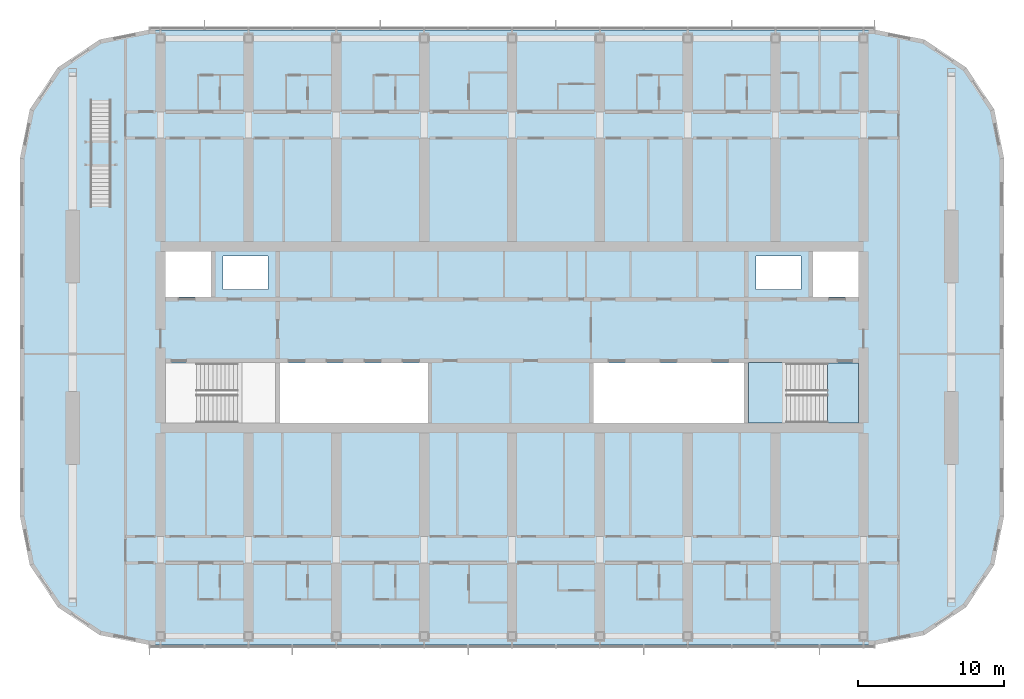
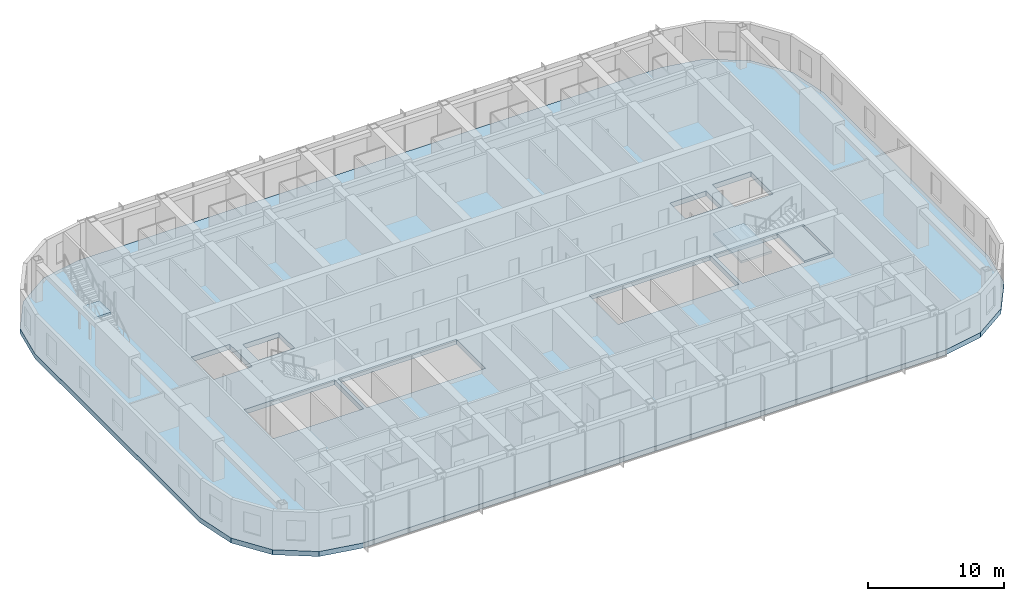
# One storey, part 10 of 27: 4 slabs, 2 elements without a shape of their own.
"""IFC4 building model written with IfcOpenShell, lengths in metres."""

from ifc_helpers import new_model, si_unit, direction, frame, origin, place, context, subcontext, project, spatial, polyline, outline, extrude, material, layer, layer_set, type_object, element, aggregate, save


model = new_model("IFC4")

# Units and contexts
model_context = context("Model", 3, precision=1e-05, world=origin(), true_north=direction((0.0, 1.0)))
body_context = subcontext(model_context, "Body", "Model", "MODEL_VIEW")
ifc_project = project(units=[si_unit("LENGTHUNIT", "METRE"), si_unit("AREAUNIT", "SQUARE_METRE"), si_unit("VOLUMEUNIT", "CUBIC_METRE"), si_unit("PLANEANGLEUNIT", "RADIAN"), si_unit("MASSUNIT", "GRAM", prefix="KILO")], contexts=[model_context])

# Site, building, storey
site_placement = place(None, origin())
site = spatial("IfcSite", under=ifc_project, at=site_placement, CompositionType="ELEMENT")
building_placement = place(site_placement, origin())
building = spatial("IfcBuilding", under=site, at=building_placement, Name="Orbita Commons", CompositionType="ELEMENT")
storey_placement = place(building_placement, frame((0.0, 0.0, 246.550048828125)))
storey = spatial("IfcBuildingStorey", under=building, at=storey_placement, Name="L61", CompositionType="ELEMENT", Elevation=246.550048828125)

# Stair, slab
ifc_material_1 = material(Name="Steel ASTM A992 stringers, precast concrete C40/50 terrazzo treads", Category="concrete")
stair_type_1 = type_object("IfcStairType", Name="Feature stair 22 risers 170 x 280 x 1400", PredefinedType="STRAIGHT_RUN_STAIR", material=ifc_material_1)
stair_1_placement = place(storey_placement, origin())
stair_1 = element("IfcStair", 1, at=stair_1_placement, inside=storey, type_object=stair_type_1, Name="Neighbourhood stair L61 to L62", PredefinedType="STRAIGHT_RUN_STAIR")
ifc_material_2 = material(Name="Concrete C40/50", Category="concrete")
ifc_layer_1 = layer(ifc_material_2, 0.199951171875)
ifc_layer_set_1 = layer_set([ifc_layer_1], Name="Concrete C40/50")
slab_type_1 = type_object("IfcSlabType", Name="Feature stair landing 200", PredefinedType="LANDING", material=ifc_layer_set_1)
slab_1_placement = place(storey_placement, frame((0.0, 0.0, 1.675048828125)))
slab_1 = element("IfcSlab", 2, at=slab_1_placement, type_object=slab_type_1, Name="FS landing 1", PredefinedType="LANDING", context=body_context, shape_type="SweptSolid", body=[
    extrude(outline(polyline([(13.199951171875, 43.699951171875), (14.60009765625, 43.699951171875), (14.60009765625, 45.409912109375), (13.199951171875, 45.409912109375), (13.199951171875, 43.699951171875)])), origin(), (0.0, 0.0, 1.0), 0.199951171875),
])
aggregate(stair_1, [slab_1])

# Slab
ifc_material_3 = material(Name="Concrete C40/50", Category="concrete")
ifc_layer_2 = layer(ifc_material_3, 0.449951171875)
ifc_layer_set_2 = layer_set([ifc_layer_2], Name="Concrete C40/50")
slab_type_2 = type_object("IfcSlabType", Name="Floor slab 450", PredefinedType="FLOOR", material=ifc_layer_set_2)
slab_2_placement = place(storey_placement, frame((0.0, 0.0, -0.449951171875)))
element("IfcSlab", 3, at=slab_2_placement, inside=storey, type_object=slab_type_2, Name="Floor slab L61", PredefinedType="FLOOR", context=body_context, shape_type="SweptSolid", body=[
    extrude(outline(polyline([(66.800048828125, 11.0), (70.167724609375, 11.669921875), (73.0224609375, 13.577392578125), (74.93017578125, 16.432373046875), (75.60009765625, 19.800048828125), (75.60009765625, 44.199951171875), (74.93017578125, 47.567626953125), (73.0224609375, 50.422607421875), (70.167724609375, 52.330078125), (66.800048828125, 53.0), (17.199951171875, 53.0), (13.832275390625, 52.330078125), (10.9775390625, 50.422607421875), (9.06982421875, 47.567626953125), (8.39990234375, 44.199951171875), (8.39990234375, 19.800048828125), (9.06982421875, 16.432373046875), (10.9775390625, 13.577392578125), (13.832275390625, 11.669921875), (17.199951171875, 11.0), (66.800048828125, 11.0)]), holes=[polyline([(18.14990234375, 25.949951171875), (25.85009765625, 25.949951171875), (25.85009765625, 30.25), (18.14990234375, 30.25), (18.14990234375, 25.949951171875)]), polyline([(58.14990234375, 25.949951171875), (65.85009765625, 25.949951171875), (65.85009765625, 30.25), (58.14990234375, 30.25), (58.14990234375, 25.949951171875)]), polyline([(18.14990234375, 34.75), (21.449951171875, 34.75), (21.449951171875, 38.050048828125), (18.14990234375, 38.050048828125), (18.14990234375, 34.75)]), polyline([(62.550048828125, 34.75), (65.85009765625, 34.75), (65.85009765625, 38.050048828125), (62.550048828125, 38.050048828125), (62.550048828125, 34.75)]), polyline([(22.25, 35.25), (25.35009765625, 35.25), (25.35009765625, 37.550048828125), (22.25, 37.550048828125), (22.25, 35.25)]), polyline([(58.64990234375, 35.25), (61.75, 35.25), (61.75, 37.550048828125), (58.64990234375, 37.550048828125), (58.64990234375, 35.25)]), polyline([(26.14990234375, 25.949951171875), (36.25, 25.949951171875), (36.25, 30.25), (26.14990234375, 30.25), (26.14990234375, 25.949951171875)]), polyline([(47.550048828125, 25.949951171875), (57.85009765625, 25.949951171875), (57.85009765625, 30.25), (47.550048828125, 30.25), (47.550048828125, 25.949951171875)])]), origin(), (0.0, 0.0, 1.0), 0.449951171875),
])

# Stair, slabs
ifc_material_4 = material(Name="Precast concrete C40/50", Category="concrete")
stair_type_2 = type_object("IfcStairType", Name="Exit stair S2 2 flights 11 risers 170", PredefinedType="HALF_TURN_STAIR", material=ifc_material_4)
stair_2_placement = place(storey_placement, origin())
stair_2 = element("IfcStair", 4, at=stair_2_placement, inside=storey, type_object=stair_type_2, Name="Exit stair S2 L61", PredefinedType="HALF_TURN_STAIR")
ifc_material_5 = material(Name="Concrete C40/50", Category="concrete")
ifc_layer_3 = layer(ifc_material_5, 0.199951171875)
ifc_layer_set_3 = layer_set([ifc_layer_3], Name="Concrete C40/50")
slab_type_3 = type_object("IfcSlabType", Name="Stair landing 200", PredefinedType="LANDING", material=ifc_layer_set_3)
slab_3_placement = place(storey_placement, frame((0.0, 0.0, -0.199951171875)))
slab_3 = element("IfcSlab", 5, at=slab_3_placement, type_object=slab_type_3, Name="S2 landing 1", PredefinedType="LANDING", context=body_context, shape_type="SweptSolid", body=[
    extrude(outline(polyline([(63.550048828125, 26.14990234375), (65.64990234375, 26.14990234375), (65.64990234375, 30.25), (63.550048828125, 30.25), (63.550048828125, 26.14990234375)])), origin(), (0.0, 0.0, 1.0), 0.199951171875),
])
slab_4_placement = place(storey_placement, frame((0.0, 0.0, 1.675048828125)))
slab_4 = element("IfcSlab", 6, at=slab_4_placement, type_object=slab_type_3, Name="S2 landing 2", PredefinedType="LANDING", context=body_context, shape_type="SweptSolid", body=[
    extrude(outline(polyline([(58.135009765625, 26.135009765625), (60.75, 26.135009765625), (60.75, 30.264892578125), (58.135009765625, 30.264892578125), (58.135009765625, 26.135009765625)])), origin(), (0.0, 0.0, 1.0), 0.199951171875),
])
aggregate(stair_2, [slab_3, slab_4])

save(model, "model.ifc")
